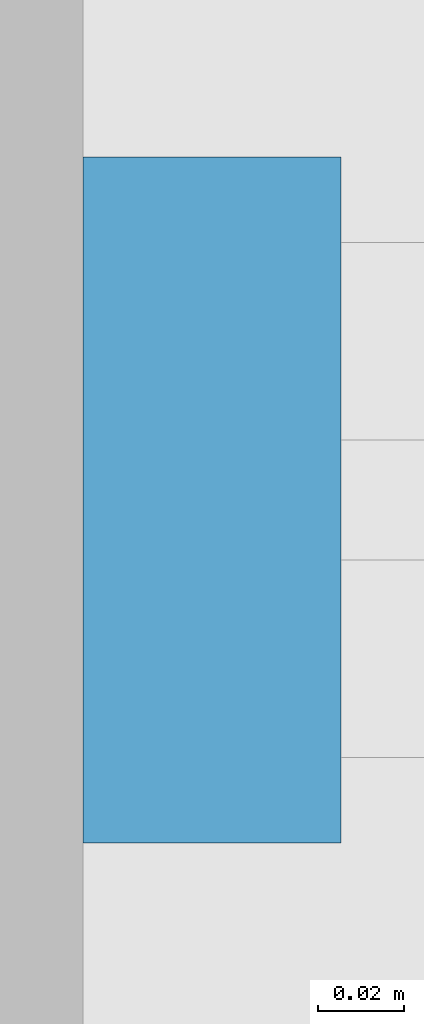
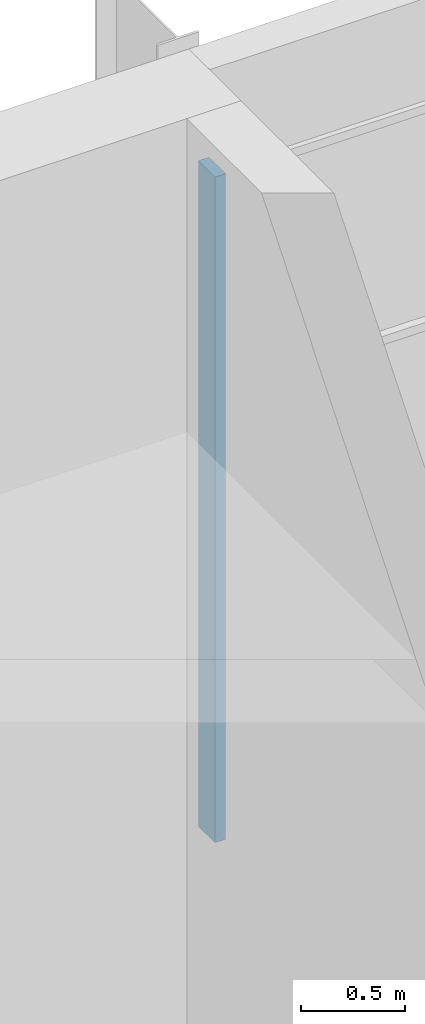
# One storey, part 16 of 84: 1 member, 1 element without a shape of its own.
"""IFC4 building model written with IfcOpenShell, lengths in metres."""

import ifcopenshell
import ifcopenshell.guid

model = None  # the IFC model being written
_history = None  # IfcOwnerHistory: only IFC2X3 demands one
_inside = {}  # id of a spatial element -> (the spatial element, [elements in it])
_under = {}  # id of a project, library or spatial element -> (it, [spatial elements below it])
_declared = {}  # id of a project -> (the project, [libraries it declares])
_typed = {}  # id of a type object -> (the type object, [elements of that type])
_made_of = {}  # id of a material, layer set ... -> (it, [elements and type objects made of it])


def new_model(schema):
    """Start an empty IFC model of exactly this schema.

    Asked for "IFC4X3", IfcOpenShell would pick the latest addendum, in which some entities
    have other attributes; the version numbers below select the first issue.
    IFC2X3 requires an IfcOwnerHistory on every rooted entity: one is made here for all.
    """
    global model, _history
    if schema == "IFC4X3":
        model = ifcopenshell.file(schema_version=(4, 3, 0, 0))
    else:
        model = ifcopenshell.file(schema=schema)
    _inside.clear()
    _under.clear()
    _declared.clear()
    _typed.clear()
    _made_of.clear()
    _history = None
    if model.schema == "IFC2X3":
        org = make("IfcOrganization", Name="unknown")
        user = make(
            "IfcPersonAndOrganization",
            ThePerson=make("IfcPerson", FamilyName="unknown"),
            TheOrganization=org,
        )
        app = make(
            "IfcApplication",
            ApplicationDeveloper=org,
            Version="unknown",
            ApplicationFullName="unknown",
            ApplicationIdentifier="unknown",
        )
        _history = make(
            "IfcOwnerHistory",
            OwningUser=user,
            OwningApplication=app,
            ChangeAction="ADDED",
            CreationDate=0,
        )
    return model


def make(cls, **values):
    """One entity of the class cls with the attributes given. An attribute that is None is left unset."""
    return model.create_entity(
        cls, **{name: value for name, value in values.items() if value is not None}
    )


def rooted(cls, **values):
    """An entity with a GlobalId (a new one), such as an element, a storey or a relation."""
    return make(cls, GlobalId=ifcopenshell.guid.new(), OwnerHistory=_history, **values)


def si_unit(unit_type, name, prefix=None):
    """IfcSIUnit, for example si_unit("LENGTHUNIT", "METRE", prefix="MILLI")."""
    return make("IfcSIUnit", UnitType=unit_type, Prefix=prefix, Name=name)


def assignment(units):
    """IfcUnitAssignment: the units of a project."""
    return None if units is None else make("IfcUnitAssignment", Units=units)


def point(xyz):
    """IfcCartesianPoint."""
    return None if xyz is None else make("IfcCartesianPoint", Coordinates=xyz)


def direction(xyz):
    """IfcDirection."""
    return None if xyz is None else make("IfcDirection", DirectionRatios=xyz)


def frame(location, z_axis=None, x_axis=None):
    """IfcAxis2Placement3D, a coordinate frame: its origin and axes. An axis left out is left unset."""
    return make(
        "IfcAxis2Placement3D",
        Location=point(location),
        Axis=direction(z_axis),
        RefDirection=direction(x_axis),
    )


def frame_2d(location, x_axis=None):
    """IfcAxis2Placement2D, a coordinate frame in the plane: its origin and x axis."""
    return make(
        "IfcAxis2Placement2D", Location=point(location), RefDirection=direction(x_axis)
    )


def origin():
    """The frame at (0, 0, 0) with its axes left unset."""
    return frame((0.0, 0.0, 0.0))


def origin_2d():
    """The frame at (0, 0) in the plane with its x axis left unset."""
    return frame_2d((0.0, 0.0))


def place(relative_to, where):
    """IfcLocalPlacement: puts the frame where relative to a parent placement (None: the world)."""
    return make(
        "IfcLocalPlacement", PlacementRelTo=relative_to, RelativePlacement=where
    )


def context(
    kind, dimensions, precision=None, world=None, true_north=None, identifier=None
):
    """IfcGeometricRepresentationContext, for example the 3D "Model" context."""
    return make(
        "IfcGeometricRepresentationContext",
        ContextIdentifier=identifier,
        ContextType=kind,
        CoordinateSpaceDimension=dimensions,
        Precision=precision,
        WorldCoordinateSystem=world,
        TrueNorth=true_north,
    )


def subcontext(parent, identifier, kind, view, scale=None):
    """IfcGeometricRepresentationSubContext, for example "Body" below "Model"."""
    return make(
        "IfcGeometricRepresentationSubContext",
        ContextIdentifier=identifier,
        ContextType=kind,
        ParentContext=parent,
        TargetScale=scale,
        TargetView=view,
    )


def project(units=None, contexts=None):
    """IfcProject with its units and contexts."""
    return rooted(
        "IfcProject",
        Name="project",
        RepresentationContexts=contexts,
        UnitsInContext=assignment(units),
    )


def spatial(cls, under=None, at=None, **own):
    """A site, building, storey or space (cls), placed at a placement, below another one or the project."""
    s = rooted(cls, ObjectPlacement=at, **own)
    if under is not None:
        _under.setdefault(under.id(), (under, []))[1].append(s)
    return s


def profile(cls, at=None, kind="AREA", **sizes):
    """A parametric profile (cls). Its sizes go by their IFC names, for example OverallWidth=200.0."""
    return make(cls, ProfileType=kind, Position=at, **sizes)


def rectangle(**sizes):
    """IfcRectangleProfileDef."""
    return profile("IfcRectangleProfileDef", **sizes)


def extrude(swept, where, along, depth):
    """IfcExtrudedAreaSolid: the profile swept, set in the frame where, extruded along a direction by depth."""
    return make(
        "IfcExtrudedAreaSolid",
        SweptArea=swept,
        Position=where,
        ExtrudedDirection=direction(along),
        Depth=depth,
    )


def shape(context_of_items, identifier, shape_type, items):
    """IfcShapeRepresentation: the items that make up one representation, for example the "Body"."""
    return make(
        "IfcShapeRepresentation",
        ContextOfItems=context_of_items,
        RepresentationIdentifier=identifier,
        RepresentationType=shape_type,
        Items=items,
    )


def material(Name=None, Category=None):
    """IfcMaterial."""
    return make("IfcMaterial", Name=Name, Category=Category)


def material_profile(
    of_material, cross_section, Name=None, Category=None, Priority=None
):
    """IfcMaterialProfile: a cross section and its material."""
    return make(
        "IfcMaterialProfile",
        Name=Name,
        Material=of_material,
        Profile=cross_section,
        Priority=Priority,
        Category=Category,
    )


def profile_set(profiles, Name=None, composite=None):
    """IfcMaterialProfileSet."""
    return make(
        "IfcMaterialProfileSet",
        Name=Name,
        MaterialProfiles=profiles,
        CompositeProfile=composite,
    )


def made_of(thing, what):
    """Note that an element or type object is made of a material, layer set ...; save() writes the relation."""
    if what is not None:
        _made_of.setdefault(what.id(), (what, []))[1].append(thing)
    return thing


def type_object(cls, material=None, **own):
    """A type object (cls), such as IfcWallType, which elements share."""
    return made_of(rooted(cls, **own), material)


def element(
    cls,
    number,
    at=None,
    inside=None,
    cuts=None,
    type_object=None,
    material=None,
    context=None,
    identifier="Body",
    shape_type=None,
    held_by="IfcProductDefinitionShape",
    body=None,
    shapes=None,
    **own,
):
    """One element of the class cls, such as IfcWall. Its Tag is "e" and its number.

    at: its placement. inside: the storey or other place that contains it. cuts: it is an
    opening in that element (IfcRelVoidsElement). A single representation is given by context,
    identifier, shape_type and body (its items); several are given by shapes. held_by: the class
    of the entity that holds the representations. save() writes the other relations.
    """
    e = rooted(cls, Tag="e%d" % number, ObjectPlacement=at, **own)
    if body is not None:
        shapes = [shape(context, identifier, shape_type, body)]
    if shapes is not None:
        e.Representation = make(held_by, Representations=shapes)
    if inside is not None:
        _inside.setdefault(inside.id(), (inside, []))[1].append(e)
    if cuts is not None:
        rooted(
            "IfcRelVoidsElement", RelatingBuildingElement=cuts, RelatedOpeningElement=e
        )
    if type_object is not None:
        _typed.setdefault(type_object.id(), (type_object, []))[1].append(e)
    return made_of(e, material)


def aggregate(whole, parts):
    """IfcRelAggregates: a whole, such as a stair, and the parts it consists of."""
    return rooted("IfcRelAggregates", RelatingObject=whole, RelatedObjects=parts)


def save(model, path):
    """Write the relations noted so far, then the file.

    IfcRelAggregates (storeys below a building ...), IfcRelContainedInSpatialStructure (elements
    in a storey), IfcRelDefinesByType, IfcRelAssociatesMaterial and IfcRelDeclares: one each for
    every whole, place, type object, material and project.
    """
    for whole, parts in _under.values():
        aggregate(whole, parts)
    for where, things in _inside.values():
        rooted(
            "IfcRelContainedInSpatialStructure",
            RelatedElements=things,
            RelatingStructure=where,
        )
    for kind, things in _typed.values():
        rooted("IfcRelDefinesByType", RelatedObjects=things, RelatingType=kind)
    for what, things in _made_of.values():
        rooted("IfcRelAssociatesMaterial", RelatedObjects=things, RelatingMaterial=what)
    for by, libraries in _declared.values():
        rooted("IfcRelDeclares", RelatingContext=by, RelatedDefinitions=libraries)
    model.write(path)


model = new_model("IFC4")

# Units and contexts
model_context = context("Model", 3, precision=1e-05, world=origin(), true_north=direction((0.0, 1.0)))
body_context = subcontext(model_context, "Body", "Model", "MODEL_VIEW")
ifc_project = project(units=[si_unit("LENGTHUNIT", "METRE"), si_unit("AREAUNIT", "SQUARE_METRE"), si_unit("VOLUMEUNIT", "CUBIC_METRE"), si_unit("PLANEANGLEUNIT", "RADIAN"), si_unit("MASSUNIT", "GRAM", prefix="KILO")], contexts=[model_context])

# Site, building, storey
site_placement = place(None, origin())
site = spatial("IfcSite", under=ifc_project, at=site_placement, CompositionType="ELEMENT")
building_placement = place(site_placement, origin())
building = spatial("IfcBuilding", under=site, at=building_placement, Name="Silverbay Arena", CompositionType="ELEMENT")
storey_placement = place(building_placement, frame((0.0, 0.0, 28.0)))
storey = spatial("IfcBuildingStorey", under=building, at=storey_placement, Name="L04", CompositionType="ELEMENT", Elevation=28.0)

# Curtain wall, member
ifc_material_1 = material(Name="Aluminium framed curtain wall", Category="aluminium")
curtain_wall_type = type_object("IfcCurtainWallType", Name="Curtain wall 8600 x 3900", PredefinedType="NOTDEFINED", material=ifc_material_1)
curtain_wall_placement = place(storey_placement, origin())
curtain_wall = element("IfcCurtainWall", 1, at=curtain_wall_placement, inside=storey, type_object=curtain_wall_type, Name="North curtain wall L04 bay 8", PredefinedType="NOTDEFINED")
ifc_material_2 = material(Name="Aluminium", Category="aluminium")
ifc_material_profile = material_profile(ifc_material_2, rectangle(XDim=0.159912109375, YDim=0.06005859375, at=origin_2d()), Name="Mullion 60 x 160")
ifc_profile_set = profile_set([ifc_material_profile], Name="Aluminium")
member_type = type_object("IfcMemberType", Name="Mullion 60 x 160", PredefinedType="MULLION", material=ifc_profile_set)
member_placement = place(storey_placement, frame((117.030029296875, 144.330078125, 1.0), z_axis=(0.0, 0.0, 1.0), x_axis=(0.0, -1.0, 0.0)))
member = element("IfcMember", 2, at=member_placement, type_object=member_type, Name="CW1 mullion 7", PredefinedType="MULLION", context=body_context, shape_type="SweptSolid", body=[
    extrude(rectangle(XDim=0.159912109375, YDim=0.06005859375, at=origin_2d()), origin(), (0.0, 0.0, 1.0), 3.89990234375),
])
aggregate(curtain_wall, [member])

save(model, "model.ifc")
